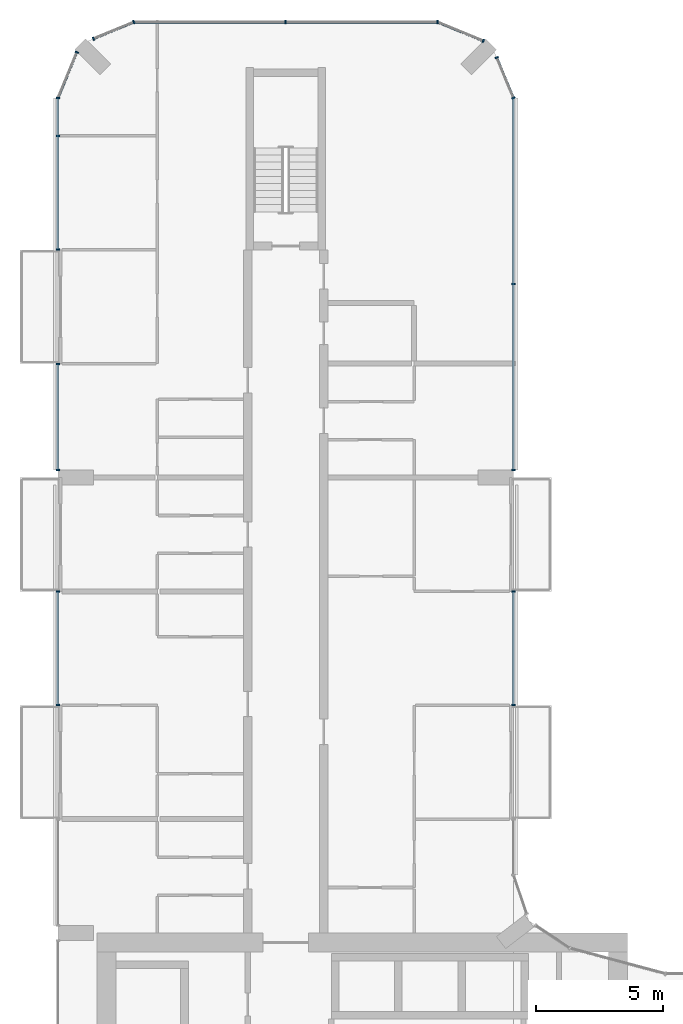
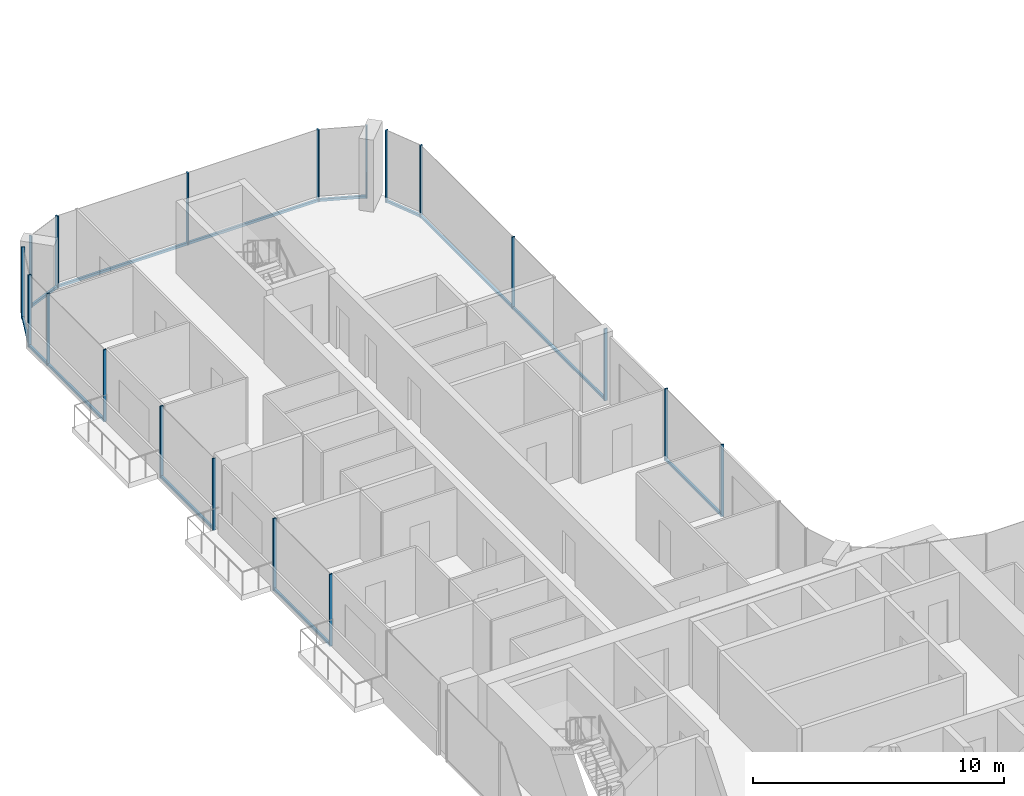
# One storey, part 6 of 23: 29 members, 10 elements without a shape of their own.
"""IFC4 building model written with IfcOpenShell, lengths in metres."""

from ifc_helpers import new_model, si_unit, direction, frame, origin, origin_2d, place, context, subcontext, project, spatial, rectangle, extrude, material, layer, layer_set, material_profile, profile_set, type_object, element, aggregate, save


model = new_model("IFC4")

# Units and contexts
model_context = context("Model", 3, precision=1e-05, world=origin(), true_north=direction((0.0, 1.0)))
body_context = subcontext(model_context, "Body", "Model", "MODEL_VIEW")
ifc_project = project(units=[si_unit("LENGTHUNIT", "METRE"), si_unit("AREAUNIT", "SQUARE_METRE"), si_unit("VOLUMEUNIT", "CUBIC_METRE"), si_unit("PLANEANGLEUNIT", "RADIAN"), si_unit("MASSUNIT", "GRAM", prefix="KILO")], contexts=[model_context])

# Site, building, storey
site_placement = place(None, origin())
site = spatial("IfcSite", under=ifc_project, at=site_placement, CompositionType="ELEMENT")
building_placement = place(site_placement, origin())
building = spatial("IfcBuilding", under=site, at=building_placement, Name="Plateau Cross Towers", CompositionType="ELEMENT")
storey_placement = place(building_placement, frame((0.0, 0.0, 33.800048828125)))
storey = spatial("IfcBuildingStorey", under=building, at=storey_placement, Name="L07", CompositionType="ELEMENT", Elevation=33.800048828125)

# Curtain wall, members
ifc_material_1 = material(Name="Dark low-iron glass", Category="glass")
ifc_layer = layer(ifc_material_1, 0.239990234375)
ifc_layer_set = layer_set([ifc_layer], Name="Dark low-iron glass")
curtain_wall_type = type_object("IfcCurtainWallType", Name="Curtain wall flush unitised CW-B", PredefinedType="NOTDEFINED", material=ifc_layer_set)
curtain_wall_1_placement = place(storey_placement, origin())
curtain_wall_1 = element("IfcCurtainWall", 1, at=curtain_wall_1_placement, inside=storey, type_object=curtain_wall_type, Name="ENV/A/L07/A180_270", PredefinedType="NOTDEFINED")
ifc_material_2 = material(Name="Black anodised aluminium", Category="aluminium")
ifc_material_profile_1 = material_profile(ifc_material_2, rectangle(XDim=0.06005859375, YDim=0.139892578125, at=origin_2d()), Name="MULLION 60x140")
ifc_profile_set_1 = profile_set([ifc_material_profile_1], Name="Black anodised aluminium")
member_type_1 = type_object("IfcMemberType", Name="Mullion 60x140 flush unitised", PredefinedType="MULLION", material=ifc_profile_set_1)
member_1_placement = place(storey_placement, frame((18.0, 27.010009765625, -0.25), z_axis=(0.0, 0.0, 1.0), x_axis=(0.0, 1.0, 0.0)))
member_1 = element("IfcMember", 2, at=member_1_placement, type_object=member_type_1, Name="CW-B mullion 1", PredefinedType="MULLION", context=body_context, shape_type="SweptSolid", body=[
    extrude(rectangle(XDim=0.06005859375, YDim=0.139892578125, at=origin_2d()), origin(), (0.0, 0.0, 1.0), 3.5),
])
member_2_placement = place(storey_placement, frame((18.0, 31.489990234375, -0.25), z_axis=(0.0, 0.0, 1.0), x_axis=(0.0, 1.0, 0.0)))
member_2 = element("IfcMember", 3, at=member_2_placement, type_object=member_type_1, Name="CW-B mullion 2", PredefinedType="MULLION", context=body_context, shape_type="SweptSolid", body=[
    extrude(rectangle(XDim=0.06005859375, YDim=0.139892578125, at=origin_2d()), origin(), (0.0, 0.0, 1.0), 3.5),
])

curtain_wall_2_placement = place(storey_placement, origin())
curtain_wall_2 = element("IfcCurtainWall", 4, at=curtain_wall_2_placement, inside=storey, type_object=curtain_wall_type, Name="ENV/A/L07/A180_363", PredefinedType="NOTDEFINED")
member_3_placement = place(storey_placement, frame((18.0, 36.300048828125, -0.25), z_axis=(0.0, 0.0, 1.0), x_axis=(0.0, 1.0, 0.0)))
member_3 = element("IfcMember", 5, at=member_3_placement, type_object=member_type_1, Name="CW-B mullion 1", PredefinedType="MULLION", context=body_context, shape_type="SweptSolid", body=[
    extrude(rectangle(XDim=0.06005859375, YDim=0.139892578125, at=origin_2d()), origin(), (0.0, 0.0, 1.0), 3.5),
])
member_4_placement = place(storey_placement, frame((18.0, 43.64990234375, -0.25), z_axis=(0.0, 0.0, 1.0), x_axis=(0.0, 1.0, 0.0)))
member_4 = element("IfcMember", 6, at=member_4_placement, type_object=member_type_1, Name="CW-B mullion 2", PredefinedType="MULLION", context=body_context, shape_type="SweptSolid", body=[
    extrude(rectangle(XDim=0.06005859375, YDim=0.139892578125, at=origin_2d()), origin(), (0.0, 0.0, 1.0), 3.5),
])

curtain_wall_3_placement = place(storey_placement, origin())
curtain_wall_3 = element("IfcCurtainWall", 7, at=curtain_wall_3_placement, inside=storey, type_object=curtain_wall_type, Name="ENV/A/L07/A180_510", PredefinedType="NOTDEFINED")
member_5_placement = place(storey_placement, frame((18.0, 51.0, -0.25), z_axis=(0.0, 0.0, 1.0), x_axis=(-0.382683612978, 0.923879457699, 0.0)))
member_5 = element("IfcMember", 8, at=member_5_placement, type_object=member_type_1, Name="CW-B mullion 1", PredefinedType="MULLION", context=body_context, shape_type="SweptSolid", body=[
    extrude(rectangle(XDim=0.06005859375, YDim=0.139892578125, at=origin_2d()), origin(), (0.0, 0.0, 1.0), 3.5),
])
member_6_placement = place(storey_placement, frame((17.338623046875, 52.5966796875, -0.25), z_axis=(0.0, 0.0, 1.0), x_axis=(-0.382683612978, 0.923879457699, 0.0)))
member_6 = element("IfcMember", 9, at=member_6_placement, type_object=member_type_1, Name="CW-B mullion 2", PredefinedType="MULLION", context=body_context, shape_type="SweptSolid", body=[
    extrude(rectangle(XDim=0.06005859375, YDim=0.139892578125, at=origin_2d()), origin(), (0.0, 0.0, 1.0), 3.5),
])

# Curtain wall, member
curtain_wall_4_placement = place(storey_placement, origin())
curtain_wall_4 = element("IfcCurtainWall", 10, at=curtain_wall_4_placement, inside=storey, type_object=curtain_wall_type, Name="ENV/A/L07/A168_533", PredefinedType="NOTDEFINED")
member_7_placement = place(storey_placement, frame((16.805908203125, 53.251953125, -0.25), z_axis=(0.0, 0.0, 1.0), x_axis=(-0.923879457699, 0.382683612978, 0.0)))
member_7 = element("IfcMember", 11, at=member_7_placement, type_object=member_type_1, Name="CW-B mullion 1", PredefinedType="MULLION", context=body_context, shape_type="SweptSolid", body=[
    extrude(rectangle(XDim=0.06005859375, YDim=0.139892578125, at=origin_2d()), origin(), (0.0, 0.0, 1.0), 3.5),
])

# Curtain wall, members
curtain_wall_5_placement = place(storey_placement, origin())
curtain_wall_5 = element("IfcCurtainWall", 12, at=curtain_wall_5_placement, inside=storey, type_object=curtain_wall_type, Name="ENV/A/L07/A150_540", PredefinedType="NOTDEFINED")
member_8_placement = place(storey_placement, frame((15.0, 54.0, -0.25), z_axis=(0.0, 0.0, 1.0), x_axis=(-1.0, 0.0, 0.0)))
member_8 = element("IfcMember", 13, at=member_8_placement, type_object=member_type_1, Name="CW-B mullion 1", PredefinedType="MULLION", context=body_context, shape_type="SweptSolid", body=[
    extrude(rectangle(XDim=0.06005859375, YDim=0.139892578125, at=origin_2d()), origin(), (0.0, 0.0, 1.0), 3.5),
])
member_9_placement = place(storey_placement, frame((9.0, 54.0, -0.25), z_axis=(0.0, 0.0, 1.0), x_axis=(-1.0, 0.0, 0.0)))
member_9 = element("IfcMember", 14, at=member_9_placement, type_object=member_type_1, Name="CW-B mullion 2", PredefinedType="MULLION", context=body_context, shape_type="SweptSolid", body=[
    extrude(rectangle(XDim=0.06005859375, YDim=0.139892578125, at=origin_2d()), origin(), (0.0, 0.0, 1.0), 3.5),
])

curtain_wall_6_placement = place(storey_placement, origin())
curtain_wall_6 = element("IfcCurtainWall", 15, at=curtain_wall_6_placement, inside=storey, type_object=curtain_wall_type, Name="ENV/A/L07/A30_540", PredefinedType="NOTDEFINED")
member_10_placement = place(storey_placement, frame((3.0, 54.0, -0.25), z_axis=(0.0, 0.0, 1.0), x_axis=(-0.923879457699, -0.382683612978, 0.0)))
member_10 = element("IfcMember", 16, at=member_10_placement, type_object=member_type_1, Name="CW-B mullion 1", PredefinedType="MULLION", context=body_context, shape_type="SweptSolid", body=[
    extrude(rectangle(XDim=0.06005859375, YDim=0.139892578125, at=origin_2d()), origin(), (0.0, 0.0, 1.0), 3.5),
])
member_11_placement = place(storey_placement, frame((1.4033203125, 53.338623046875, -0.25), z_axis=(0.0, 0.0, 1.0), x_axis=(-0.923879457699, -0.382683612978, 0.0)))
member_11 = element("IfcMember", 17, at=member_11_placement, type_object=member_type_1, Name="CW-B mullion 2", PredefinedType="MULLION", context=body_context, shape_type="SweptSolid", body=[
    extrude(rectangle(XDim=0.06005859375, YDim=0.139892578125, at=origin_2d()), origin(), (0.0, 0.0, 1.0), 3.5),
])

# Curtain wall, member
curtain_wall_7_placement = place(storey_placement, origin())
curtain_wall_7 = element("IfcCurtainWall", 18, at=curtain_wall_7_placement, inside=storey, type_object=curtain_wall_type, Name="ENV/A/L07/A7_528", PredefinedType="NOTDEFINED")
member_12_placement = place(storey_placement, frame((0.748046875, 52.805908203125, -0.25), z_axis=(0.0, 0.0, 1.0), x_axis=(-0.382683612978, -0.923879457699, 0.0)))
member_12 = element("IfcMember", 19, at=member_12_placement, type_object=member_type_1, Name="CW-B mullion 1", PredefinedType="MULLION", context=body_context, shape_type="SweptSolid", body=[
    extrude(rectangle(XDim=0.06005859375, YDim=0.139892578125, at=origin_2d()), origin(), (0.0, 0.0, 1.0), 3.5),
])

# Curtain wall, members
curtain_wall_8_placement = place(storey_placement, origin())
curtain_wall_8 = element("IfcCurtainWall", 20, at=curtain_wall_8_placement, inside=storey, type_object=curtain_wall_type, Name="ENV/A/L07/A0_510", PredefinedType="NOTDEFINED")
member_13_placement = place(storey_placement, frame((0.0, 51.0, -0.25), z_axis=(0.0, 0.0, 1.0), x_axis=(0.0, -1.0, 0.0)))
member_13 = element("IfcMember", 21, at=member_13_placement, type_object=member_type_1, Name="CW-B mullion 1", PredefinedType="MULLION", context=body_context, shape_type="SweptSolid", body=[
    extrude(rectangle(XDim=0.06005859375, YDim=0.139892578125, at=origin_2d()), origin(), (0.0, 0.0, 1.0), 3.5),
])
member_14_placement = place(storey_placement, frame((0.0, 49.5, -0.25), z_axis=(0.0, 0.0, 1.0), x_axis=(0.0, -1.0, 0.0)))
member_14 = element("IfcMember", 22, at=member_14_placement, type_object=member_type_1, Name="CW-B mullion 2", PredefinedType="MULLION", context=body_context, shape_type="SweptSolid", body=[
    extrude(rectangle(XDim=0.06005859375, YDim=0.139892578125, at=origin_2d()), origin(), (0.0, 0.0, 1.0), 3.5),
])
member_15_placement = place(storey_placement, frame((0.0, 45.010009765625, -0.25), z_axis=(0.0, 0.0, 1.0), x_axis=(0.0, -1.0, 0.0)))
member_15 = element("IfcMember", 23, at=member_15_placement, type_object=member_type_1, Name="CW-B mullion 3", PredefinedType="MULLION", context=body_context, shape_type="SweptSolid", body=[
    extrude(rectangle(XDim=0.06005859375, YDim=0.139892578125, at=origin_2d()), origin(), (0.0, 0.0, 1.0), 3.5),
])

curtain_wall_9_placement = place(storey_placement, origin())
curtain_wall_9 = element("IfcCurtainWall", 24, at=curtain_wall_9_placement, inside=storey, type_object=curtain_wall_type, Name="ENV/A/L07/A0_405", PredefinedType="NOTDEFINED")
member_16_placement = place(storey_placement, frame((0.0, 40.489990234375, -0.25), z_axis=(0.0, 0.0, 1.0), x_axis=(0.0, -1.0, 0.0)))
member_16 = element("IfcMember", 25, at=member_16_placement, type_object=member_type_1, Name="CW-B mullion 1", PredefinedType="MULLION", context=body_context, shape_type="SweptSolid", body=[
    extrude(rectangle(XDim=0.06005859375, YDim=0.139892578125, at=origin_2d()), origin(), (0.0, 0.0, 1.0), 3.5),
])
member_17_placement = place(storey_placement, frame((0.0, 36.300048828125, -0.25), z_axis=(0.0, 0.0, 1.0), x_axis=(0.0, -1.0, 0.0)))
member_17 = element("IfcMember", 26, at=member_17_placement, type_object=member_type_1, Name="CW-B mullion 2", PredefinedType="MULLION", context=body_context, shape_type="SweptSolid", body=[
    extrude(rectangle(XDim=0.06005859375, YDim=0.139892578125, at=origin_2d()), origin(), (0.0, 0.0, 1.0), 3.5),
])

curtain_wall_10_placement = place(storey_placement, origin())
curtain_wall_10 = element("IfcCurtainWall", 27, at=curtain_wall_10_placement, inside=storey, type_object=curtain_wall_type, Name="ENV/A/L07/A0_315", PredefinedType="NOTDEFINED")
member_18_placement = place(storey_placement, frame((0.0, 31.489990234375, -0.25), z_axis=(0.0, 0.0, 1.0), x_axis=(0.0, -1.0, 0.0)))
member_18 = element("IfcMember", 28, at=member_18_placement, type_object=member_type_1, Name="CW-B mullion 1", PredefinedType="MULLION", context=body_context, shape_type="SweptSolid", body=[
    extrude(rectangle(XDim=0.06005859375, YDim=0.139892578125, at=origin_2d()), origin(), (0.0, 0.0, 1.0), 3.5),
])
member_19_placement = place(storey_placement, frame((0.0, 27.010009765625, -0.25), z_axis=(0.0, 0.0, 1.0), x_axis=(0.0, -1.0, 0.0)))
member_19 = element("IfcMember", 29, at=member_19_placement, type_object=member_type_1, Name="CW-B mullion 2", PredefinedType="MULLION", context=body_context, shape_type="SweptSolid", body=[
    extrude(rectangle(XDim=0.06005859375, YDim=0.139892578125, at=origin_2d()), origin(), (0.0, 0.0, 1.0), 3.5),
])

# Member
ifc_material_profile_2 = material_profile(ifc_material_2, rectangle(XDim=0.10009765625, YDim=0.1201171875, at=origin_2d()), Name="TRANSOM 100x120")
ifc_profile_set_2 = profile_set([ifc_material_profile_2], Name="Black anodised aluminium")
member_type_2 = type_object("IfcMemberType", Name="Transom 100x120 flush unitised", PredefinedType="USERDEFINED", material=ifc_profile_set_2)
member_20_placement = place(storey_placement, frame((18.0, 27.010009765625, -0.18994140625), z_axis=(0.0, 1.0, 0.0), x_axis=(-1.0, 0.0, 0.0)))
member_20 = element("IfcMember", 30, at=member_20_placement, type_object=member_type_2, Name="CW-B transom", ObjectType="TRANSOM", PredefinedType="USERDEFINED", context=body_context, shape_type="SweptSolid", body=[
    extrude(rectangle(XDim=0.10009765625, YDim=0.1201171875, at=origin_2d()), origin(), (0.0, 0.0, 1.0), 4.47998046875),
])

aggregate(curtain_wall_1, [member_1, member_2, member_20])

member_21_placement = place(storey_placement, frame((18.0, 36.300048828125, -0.18994140625), z_axis=(0.0, 1.0, 0.0), x_axis=(-1.0, 0.0, 0.0)))
member_21 = element("IfcMember", 31, at=member_21_placement, type_object=member_type_2, Name="CW-B transom", ObjectType="TRANSOM", PredefinedType="USERDEFINED", context=body_context, shape_type="SweptSolid", body=[
    extrude(rectangle(XDim=0.10009765625, YDim=0.1201171875, at=origin_2d()), origin(), (0.0, 0.0, 1.0), 14.699951171875),
])

aggregate(curtain_wall_2, [member_3, member_4, member_21])

member_22_placement = place(storey_placement, frame((18.0, 51.0, -0.18994140625), z_axis=(-0.382688653628, 0.923877369776, 0.0), x_axis=(-0.923877369776, -0.382688653628, 0.0)))
member_22 = element("IfcMember", 32, at=member_22_placement, type_object=member_type_2, Name="CW-B transom", ObjectType="TRANSOM", PredefinedType="USERDEFINED", context=body_context, shape_type="SweptSolid", body=[
    extrude(rectangle(XDim=0.10009765625, YDim=0.1201171875, at=origin_2d()), origin(), (0.0, 0.0, 1.0), 1.728271484375),
])

aggregate(curtain_wall_3, [member_5, member_6, member_22])

member_23_placement = place(storey_placement, frame((16.805908203125, 53.251953125, -0.18994140625), z_axis=(-0.92387678234, 0.382690071798, 0.0), x_axis=(-0.382690071798, -0.92387678234, 0.0)))
member_23 = element("IfcMember", 33, at=member_23_placement, type_object=member_type_2, Name="CW-B transom", ObjectType="TRANSOM", PredefinedType="USERDEFINED", context=body_context, shape_type="SweptSolid", body=[
    extrude(rectangle(XDim=0.10009765625, YDim=0.1201171875, at=origin_2d()), origin(), (0.0, 0.0, 1.0), 1.95458984375),
])

aggregate(curtain_wall_4, [member_7, member_23])

member_24_placement = place(storey_placement, frame((15.0, 54.0, -0.18994140625), z_axis=(-1.0, 0.0, 0.0), x_axis=(0.0, -1.0, 0.0)))
member_24 = element("IfcMember", 34, at=member_24_placement, type_object=member_type_2, Name="CW-B transom", ObjectType="TRANSOM", PredefinedType="USERDEFINED", context=body_context, shape_type="SweptSolid", body=[
    extrude(rectangle(XDim=0.10009765625, YDim=0.1201171875, at=origin_2d()), origin(), (0.0, 0.0, 1.0), 12.0),
])

aggregate(curtain_wall_5, [member_8, member_9, member_24])

member_25_placement = place(storey_placement, frame((3.0, 54.0, -0.18994140625), z_axis=(-0.923877369776, -0.382688653628, 0.0), x_axis=(0.382688653628, -0.923877369776, 0.0)))
member_25 = element("IfcMember", 35, at=member_25_placement, type_object=member_type_2, Name="CW-B transom", ObjectType="TRANSOM", PredefinedType="USERDEFINED", context=body_context, shape_type="SweptSolid", body=[
    extrude(rectangle(XDim=0.10009765625, YDim=0.1201171875, at=origin_2d()), origin(), (0.0, 0.0, 1.0), 1.728271484375),
])

aggregate(curtain_wall_6, [member_10, member_11, member_25])

member_26_placement = place(storey_placement, frame((0.748046875, 52.805908203125, -0.18994140625), z_axis=(-0.382690071798, -0.92387678234, 0.0), x_axis=(0.92387678234, -0.382690071798, 0.0)))
member_26 = element("IfcMember", 36, at=member_26_placement, type_object=member_type_2, Name="CW-B transom", ObjectType="TRANSOM", PredefinedType="USERDEFINED", context=body_context, shape_type="SweptSolid", body=[
    extrude(rectangle(XDim=0.10009765625, YDim=0.1201171875, at=origin_2d()), origin(), (0.0, 0.0, 1.0), 1.95458984375),
])

aggregate(curtain_wall_7, [member_12, member_26])

member_27_placement = place(storey_placement, frame((0.0, 51.0, -0.18994140625), z_axis=(0.0, -1.0, 0.0), x_axis=(1.0, 0.0, 0.0)))
member_27 = element("IfcMember", 37, at=member_27_placement, type_object=member_type_2, Name="CW-B transom", ObjectType="TRANSOM", PredefinedType="USERDEFINED", context=body_context, shape_type="SweptSolid", body=[
    extrude(rectangle(XDim=0.10009765625, YDim=0.1201171875, at=origin_2d()), origin(), (0.0, 0.0, 1.0), 5.989990234375),
])

aggregate(curtain_wall_8, [member_13, member_14, member_15, member_27])

member_28_placement = place(storey_placement, frame((0.0, 40.489990234375, -0.18994140625), z_axis=(0.0, -1.0, 0.0), x_axis=(1.0, 0.0, 0.0)))
member_28 = element("IfcMember", 38, at=member_28_placement, type_object=member_type_2, Name="CW-B transom", ObjectType="TRANSOM", PredefinedType="USERDEFINED", context=body_context, shape_type="SweptSolid", body=[
    extrude(rectangle(XDim=0.10009765625, YDim=0.1201171875, at=origin_2d()), origin(), (0.0, 0.0, 1.0), 4.18994140625),
])

aggregate(curtain_wall_9, [member_16, member_17, member_28])

member_29_placement = place(storey_placement, frame((0.0, 31.489990234375, -0.18994140625), z_axis=(0.0, -1.0, 0.0), x_axis=(1.0, 0.0, 0.0)))
member_29 = element("IfcMember", 39, at=member_29_placement, type_object=member_type_2, Name="CW-B transom", ObjectType="TRANSOM", PredefinedType="USERDEFINED", context=body_context, shape_type="SweptSolid", body=[
    extrude(rectangle(XDim=0.10009765625, YDim=0.1201171875, at=origin_2d()), origin(), (0.0, 0.0, 1.0), 4.47998046875),
])

aggregate(curtain_wall_10, [member_18, member_19, member_29])

save(model, "model.ifc")
